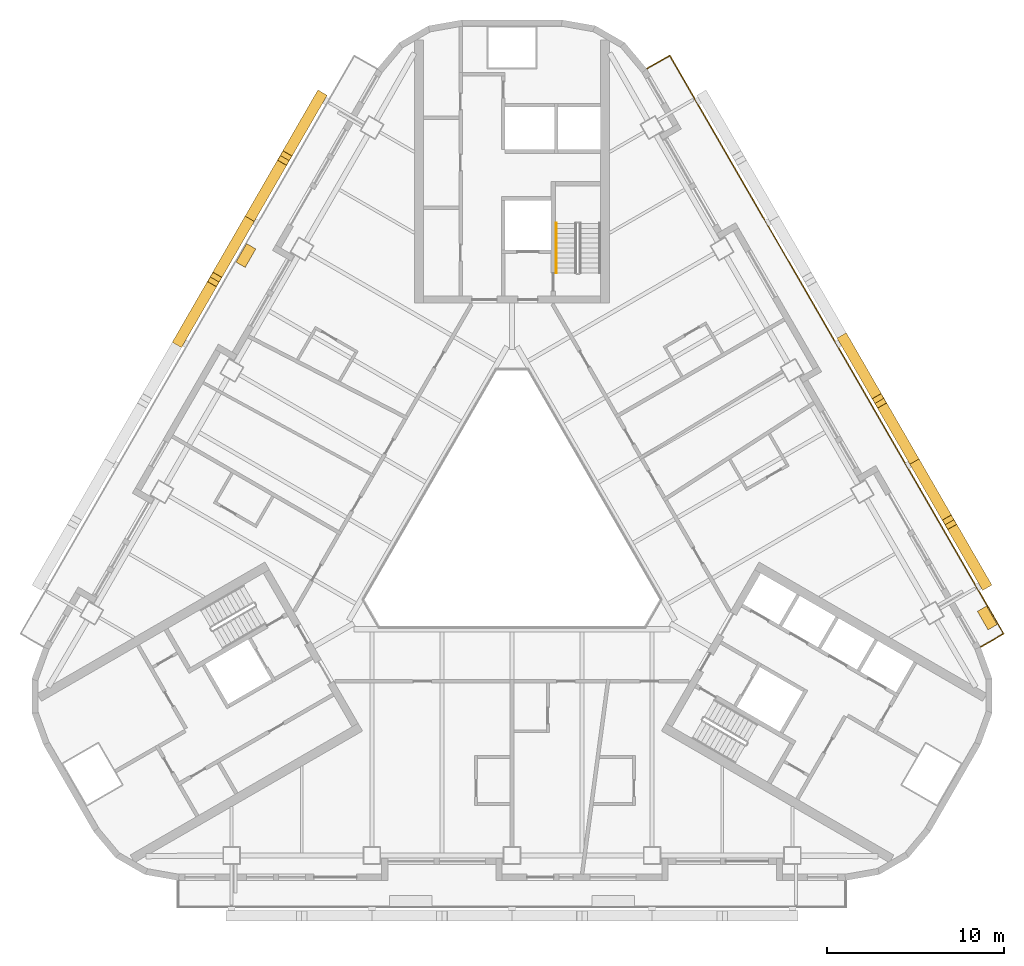
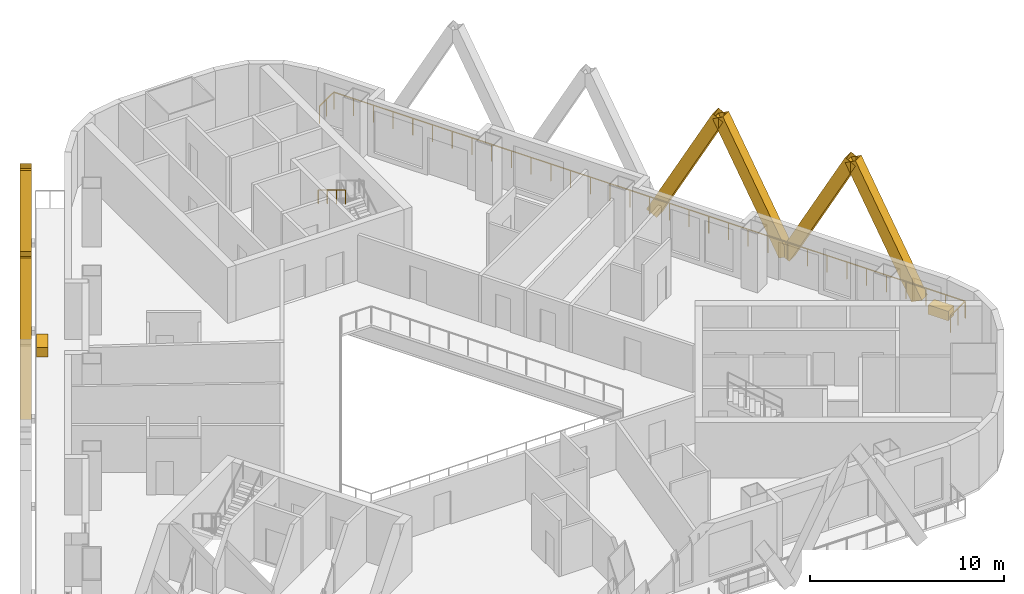
# One storey, part 12 of 13: 8 shading devices, 2 coverings, 2 railings.
"""IFC4 building model written with IfcOpenShell, lengths in metres."""

from ifc_helpers import new_model, si_unit, direction, frame, origin, origin_2d, place, context, subcontext, project, spatial, rectangle, hollow_rectangle, circle, extrude, material, material_profile, profile_set, type_object, element, save


model = new_model("IFC4")

# Units and contexts
model_context = context("Model", 3, precision=1e-05, world=origin(), true_north=direction((0.0, 1.0)))
body_context = subcontext(model_context, "Body", "Model", "MODEL_VIEW")
ifc_project = project(units=[si_unit("LENGTHUNIT", "METRE"), si_unit("AREAUNIT", "SQUARE_METRE"), si_unit("VOLUMEUNIT", "CUBIC_METRE"), si_unit("PLANEANGLEUNIT", "RADIAN"), si_unit("MASSUNIT", "GRAM", prefix="KILO")], contexts=[model_context])

# Site, building, storey
site_placement = place(None, origin())
site = spatial("IfcSite", under=ifc_project, at=site_placement, CompositionType="ELEMENT")
building_placement = place(site_placement, origin())
building = spatial("IfcBuilding", under=site, at=building_placement, Name="Apuvela Tower Hotel", CompositionType="ELEMENT")
storey_placement = place(building_placement, frame((0.0, 0.0, 61.300048828125)))
storey = spatial("IfcBuildingStorey", under=building, at=storey_placement, Name="L12", CompositionType="ELEMENT", Elevation=61.300048828125)

# Railing
ifc_material_1 = material(Name="Stainless steel 316 handrail", Category="steel")
railing_type_1 = type_object("IfcRailingType", Name="COR-HANDRAIL-900", PredefinedType="HANDRAIL", material=ifc_material_1)
railing_1_placement = place(storey_placement, frame((2.5, 17.39990234375, 2.01806640625)))
element("IfcRailing", 1, at=railing_1_placement, inside=storey, type_object=railing_type_1, Name="L12 ST1 stair handrail 2", PredefinedType="HANDRAIL", context=body_context, shape_type="SweptSolid", body=[
    extrude(circle(Radius=0.02392578125, at=origin_2d()), frame((0.0, 0.0, 0.8759765625), z_axis=(0.0, -0.857222391501, 0.514946377315), x_axis=(1.0, 0.0, 0.0)), (0.0, 0.0, 1.0), 3.26611328125),
    extrude(rectangle(XDim=0.0419921875, YDim=0.0419921875, at=origin_2d()), origin(), (0.0, 0.0, 1.0), 0.851806640625),
    extrude(rectangle(XDim=0.0419921875, YDim=0.0419921875, at=origin_2d()), frame((0.0, -0.933349609375, 0.560546875)), (0.0, 0.0, 1.0), 0.851806640625),
    extrude(rectangle(XDim=0.0419921875, YDim=0.0419921875, at=origin_2d()), frame((0.0, -1.866455078125, 1.121337890625)), (0.0, 0.0, 1.0), 0.851806640625),
    extrude(rectangle(XDim=0.0419921875, YDim=0.0419921875, at=origin_2d()), frame((0.0, -2.7998046875, 1.681884765625)), (0.0, 0.0, 1.0), 0.851806640625),
])

# Shading devices
ifc_material_2 = material(Name="Aluminium 6063-T6, black anodised", Category="aluminium")
ifc_material_profile = material_profile(ifc_material_2, hollow_rectangle(XDim=0.60009765625, YDim=0.699951171875, WallThickness=0.011962890625, at=origin_2d()), Name="AL BOX 700x600x12")
ifc_profile_set = profile_set([ifc_material_profile], Name="Aluminium 6063-T6, black anodised")
shading_device_type = type_object("IfcShadingDeviceType", Name="ENV-FIN-700x600", PredefinedType="USERDEFINED", material=ifc_profile_set)
for number, where, z_axis, x_axis, name in (
    (2, (26.632080078125, -2.8681640625, -0.10009765625), (-0.235457834389, 0.407787356937, 0.88219560175), (-0.866005453737, -0.500034552904, 0.0), "Lattice fin NE65"),
    (3, (22.68212890625, 3.973388671875, -0.10009765625), (0.235427548578, -0.407814415956, 0.882191176281), (0.866047669374, 0.499961432884, 0.0), "Lattice fin NE66"),
    (4, (22.68212890625, 3.973388671875, -0.10009765625), (-0.235455039791, 0.407811621453, 0.882185131163), (-0.866020906874, -0.500007788796, 0.0), "Lattice fin NE67"),
):
    element("IfcShadingDevice", number, at=place(storey_placement, frame(where, z_axis=z_axis, x_axis=x_axis)), inside=storey, type_object=shading_device_type, Name=name, ObjectType="FIN", PredefinedType="USERDEFINED", context=body_context, shape_type="SweptSolid", body=[
        extrude(hollow_rectangle(XDim=0.60009765625, YDim=0.699951171875, WallThickness=0.011962890625, at=origin_2d()), origin(), (0.0, 0.0, 1.0), 8.388427734375),
    ])
shading_device_placement = place(storey_placement, frame((18.732177734375, 10.81494140625, -0.10009765625), z_axis=(0.235430342887, -0.407790151341, 0.882201647084), x_axis=(0.866032218625, 0.499988196164, 0.0)))
element("IfcShadingDevice", 5, at=shading_device_placement, inside=storey, type_object=shading_device_type, Name="Lattice fin NE68", ObjectType="FIN", PredefinedType="USERDEFINED", context=body_context, shape_type="SweptSolid", body=[
    extrude(hollow_rectangle(XDim=0.60009765625, YDim=0.699951171875, WallThickness=0.011962890625, at=origin_2d()), origin(), (0.0, 0.0, 1.0), 8.38818359375),
])
for number, where, z_axis, x_axis, name in (
    (6, (-10.83203125, 24.498291015625, -0.10009765625), (-0.235455039791, -0.407811621453, 0.882185131163), (0.866020906874, -0.500007788796, 0.0), "Lattice fin NW113"),
    (7, (-14.781982421875, 17.656494140625, -0.10009765625), (0.235427548578, 0.407814415956, 0.882191176281), (-0.866047669374, 0.499961432884, 0.0), "Lattice fin NW114"),
    (8, (-14.781982421875, 17.656494140625, -0.10009765625), (-0.235457834389, -0.407787356937, 0.88219560175), (0.866005453737, -0.500034552904, 0.0), "Lattice fin NW115"),
    (9, (-18.732177734375, 10.81494140625, -0.10009765625), (0.235455039791, 0.407811621453, 0.882185131163), (-0.866020906874, 0.500007788796, 0.0), "Lattice fin NW116"),
):
    element("IfcShadingDevice", number, at=place(storey_placement, frame(where, z_axis=z_axis, x_axis=x_axis)), inside=storey, type_object=shading_device_type, Name=name, ObjectType="FIN", PredefinedType="USERDEFINED", context=body_context, shape_type="SweptSolid", body=[
        extrude(hollow_rectangle(XDim=0.60009765625, YDim=0.699951171875, WallThickness=0.011962890625, at=origin_2d()), origin(), (0.0, 0.0, 1.0), 8.388427734375),
    ])

# Railing
ifc_material_3 = material(Name="Stainless steel 316 rail with laminated glass infill", Category="steel")
railing_type_2 = type_object("IfcRailingType", Name="ENV-GUARD-1100", PredefinedType="GUARDRAIL", material=ifc_material_3)
railing_2_placement = place(storey_placement, frame((26.407958984375, -6.47998046875, 0.0)))
element("IfcRailing", 10, at=railing_2_placement, inside=storey, type_object=railing_type_2, Name="Balcony guard NE L12", PredefinedType="GUARDRAIL", context=body_context, shape_type="SweptSolid", body=[
    extrude(rectangle(XDim=0.050048828125, YDim=0.050048828125, at=origin_2d()), frame((0.0, 0.0, 1.0751953125), z_axis=(0.866031096941, 0.499990139034, 0.0), x_axis=(-0.499990139034, 0.866031096941, 0.0)), (0.0, 0.0, 1.0), 1.5),
    extrude(rectangle(XDim=0.050048828125, YDim=0.050048828125, at=origin_2d()), frame((1.299072265625, 0.75, 1.0751953125), z_axis=(-0.500000437506, 0.86602515119, 0.0), x_axis=(-0.86602515119, -0.500000437506, 0.0)), (0.0, 0.0, 1.0), 37.6318359375),
    extrude(rectangle(XDim=0.050048828125, YDim=0.050048828125, at=origin_2d()), frame((-17.516845703125, 33.340087890625, 1.0751953125), z_axis=(-0.86599040064, -0.500060622324, 0.0), x_axis=(0.500060622324, -0.86599040064, 0.0)), (0.0, 0.0, 1.0), 1.499755859375),
    extrude(rectangle(XDim=0.0400390625, YDim=0.0400390625, at=origin_2d()), origin(), (0.0, 0.0, 1.0), 1.050048828125),
    extrude(rectangle(XDim=0.0400390625, YDim=0.0400390625, at=origin_2d()), frame((0.6494140625, 0.375, 0.0)), (0.0, 0.0, 1.0), 1.050048828125),
    extrude(rectangle(XDim=0.0400390625, YDim=0.0400390625, at=origin_2d()), frame((1.299072265625, 0.75, 0.0)), (0.0, 0.0, 1.0), 1.050048828125),
    extrude(rectangle(XDim=0.0400390625, YDim=0.0400390625, at=origin_2d()), frame((0.711181640625, 1.7685546875, 0.0)), (0.0, 0.0, 1.0), 1.050048828125),
    extrude(rectangle(XDim=0.0400390625, YDim=0.0400390625, at=origin_2d()), frame((0.123046875, 2.786865234375, 0.0)), (0.0, 0.0, 1.0), 1.050048828125),
    extrude(rectangle(XDim=0.0400390625, YDim=0.0400390625, at=origin_2d()), frame((-0.46484375, 3.805419921875, 0.0)), (0.0, 0.0, 1.0), 1.050048828125),
    extrude(rectangle(XDim=0.0400390625, YDim=0.0400390625, at=origin_2d()), frame((-1.052978515625, 4.82373046875, 0.0)), (0.0, 0.0, 1.0), 1.050048828125),
    extrude(rectangle(XDim=0.0400390625, YDim=0.0400390625, at=origin_2d()), frame((-1.640869140625, 5.84228515625, 0.0)), (0.0, 0.0, 1.0), 1.050048828125),
    extrude(rectangle(XDim=0.0400390625, YDim=0.0400390625, at=origin_2d()), frame((-2.22900390625, 6.860595703125, 0.0)), (0.0, 0.0, 1.0), 1.050048828125),
    extrude(rectangle(XDim=0.0400390625, YDim=0.0400390625, at=origin_2d()), frame((-2.81689453125, 7.879150390625, 0.0)), (0.0, 0.0, 1.0), 1.050048828125),
    extrude(rectangle(XDim=0.0400390625, YDim=0.0400390625, at=origin_2d()), frame((-3.40478515625, 8.8974609375, 0.0)), (0.0, 0.0, 1.0), 1.050048828125),
    extrude(rectangle(XDim=0.0400390625, YDim=0.0400390625, at=origin_2d()), frame((-3.992919921875, 9.916015625, 0.0)), (0.0, 0.0, 1.0), 1.050048828125),
    extrude(rectangle(XDim=0.0400390625, YDim=0.0400390625, at=origin_2d()), frame((-4.580810546875, 10.934326171875, 0.0)), (0.0, 0.0, 1.0), 1.050048828125),
    extrude(rectangle(XDim=0.0400390625, YDim=0.0400390625, at=origin_2d()), frame((-5.1689453125, 11.952880859375, 0.0)), (0.0, 0.0, 1.0), 1.050048828125),
    extrude(rectangle(XDim=0.0400390625, YDim=0.0400390625, at=origin_2d()), frame((-5.7568359375, 12.97119140625, 0.0)), (0.0, 0.0, 1.0), 1.050048828125),
    extrude(rectangle(XDim=0.0400390625, YDim=0.0400390625, at=origin_2d()), frame((-6.344970703125, 13.98974609375, 0.0)), (0.0, 0.0, 1.0), 1.050048828125),
    extrude(rectangle(XDim=0.0400390625, YDim=0.0400390625, at=origin_2d()), frame((-6.932861328125, 15.008056640625, 0.0)), (0.0, 0.0, 1.0), 1.050048828125),
    extrude(rectangle(XDim=0.0400390625, YDim=0.0400390625, at=origin_2d()), frame((-7.52099609375, 16.026611328125, 0.0)), (0.0, 0.0, 1.0), 1.050048828125),
    extrude(rectangle(XDim=0.0400390625, YDim=0.0400390625, at=origin_2d()), frame((-8.10888671875, 17.044921875, 0.0)), (0.0, 0.0, 1.0), 1.050048828125),
    extrude(rectangle(XDim=0.0400390625, YDim=0.0400390625, at=origin_2d()), frame((-8.69677734375, 18.0634765625, 0.0)), (0.0, 0.0, 1.0), 1.050048828125),
    extrude(rectangle(XDim=0.0400390625, YDim=0.0400390625, at=origin_2d()), frame((-9.284912109375, 19.08203125, 0.0)), (0.0, 0.0, 1.0), 1.050048828125),
    extrude(rectangle(XDim=0.0400390625, YDim=0.0400390625, at=origin_2d()), frame((-9.872802734375, 20.100341796875, 0.0)), (0.0, 0.0, 1.0), 1.050048828125),
    extrude(rectangle(XDim=0.0400390625, YDim=0.0400390625, at=origin_2d()), frame((-10.4609375, 21.118896484375, 0.0)), (0.0, 0.0, 1.0), 1.050048828125),
    extrude(rectangle(XDim=0.0400390625, YDim=0.0400390625, at=origin_2d()), frame((-11.048828125, 22.13720703125, 0.0)), (0.0, 0.0, 1.0), 1.050048828125),
    extrude(rectangle(XDim=0.0400390625, YDim=0.0400390625, at=origin_2d()), frame((-11.636962890625, 23.15576171875, 0.0)), (0.0, 0.0, 1.0), 1.050048828125),
    extrude(rectangle(XDim=0.0400390625, YDim=0.0400390625, at=origin_2d()), frame((-12.224853515625, 24.174072265625, 0.0)), (0.0, 0.0, 1.0), 1.050048828125),
    extrude(rectangle(XDim=0.0400390625, YDim=0.0400390625, at=origin_2d()), frame((-12.81298828125, 25.192626953125, 0.0)), (0.0, 0.0, 1.0), 1.050048828125),
    extrude(rectangle(XDim=0.0400390625, YDim=0.0400390625, at=origin_2d()), frame((-13.40087890625, 26.2109375, 0.0)), (0.0, 0.0, 1.0), 1.050048828125),
    extrude(rectangle(XDim=0.0400390625, YDim=0.0400390625, at=origin_2d()), frame((-13.98876953125, 27.2294921875, 0.0)), (0.0, 0.0, 1.0), 1.050048828125),
    extrude(rectangle(XDim=0.0400390625, YDim=0.0400390625, at=origin_2d()), frame((-14.576904296875, 28.247802734375, 0.0)), (0.0, 0.0, 1.0), 1.050048828125),
    extrude(rectangle(XDim=0.0400390625, YDim=0.0400390625, at=origin_2d()), frame((-15.164794921875, 29.266357421875, 0.0)), (0.0, 0.0, 1.0), 1.050048828125),
    extrude(rectangle(XDim=0.0400390625, YDim=0.0400390625, at=origin_2d()), frame((-15.7529296875, 30.28466796875, 0.0)), (0.0, 0.0, 1.0), 1.050048828125),
    extrude(rectangle(XDim=0.0400390625, YDim=0.0400390625, at=origin_2d()), frame((-16.3408203125, 31.30322265625, 0.0)), (0.0, 0.0, 1.0), 1.050048828125),
    extrude(rectangle(XDim=0.0400390625, YDim=0.0400390625, at=origin_2d()), frame((-16.928955078125, 32.321533203125, 0.0)), (0.0, 0.0, 1.0), 1.050048828125),
    extrude(rectangle(XDim=0.0400390625, YDim=0.0400390625, at=origin_2d()), frame((-17.516845703125, 33.340087890625, 0.0)), (0.0, 0.0, 1.0), 1.050048828125),
    extrude(rectangle(XDim=0.0400390625, YDim=0.0400390625, at=origin_2d()), frame((-18.166259765625, 32.965087890625, 0.0)), (0.0, 0.0, 1.0), 1.050048828125),
    extrude(rectangle(XDim=0.0400390625, YDim=0.0400390625, at=origin_2d()), frame((-18.815673828125, 32.590087890625, 0.0)), (0.0, 0.0, 1.0), 1.050048828125),
])

# Coverings
ifc_material_4 = material(Name="Planting substrate and soil, planted")
covering_type = type_object("IfcCoveringType", Name="ENV-PLANTER-1200x600", PredefinedType="USERDEFINED", material=ifc_material_4)
for number, where, z_axis, x_axis, name in (
    (11, (26.788818359375, -4.839599609375, 0.0), (0.0, 0.0, 1.0), (-0.5, 0.866025403784, 0.0), "Planter NE3"),
    (12, (-14.99609375, 15.586181640625, 0.0), (0.0, 0.0, 1.0), (-0.5, -0.866025403784, 0.0), "Planter NW4"),
):
    element("IfcCovering", number, at=place(storey_placement, frame(where, z_axis=z_axis, x_axis=x_axis)), inside=storey, type_object=covering_type, Name=name, ObjectType="PLANTER", PredefinedType="USERDEFINED", context=body_context, shape_type="SweptSolid", body=[
        extrude(rectangle(XDim=1.199951171875, YDim=0.60009765625, at=origin_2d()), origin(), (0.0, 0.0, 1.0), 0.60009765625),
    ])

save(model, "model.ifc")
